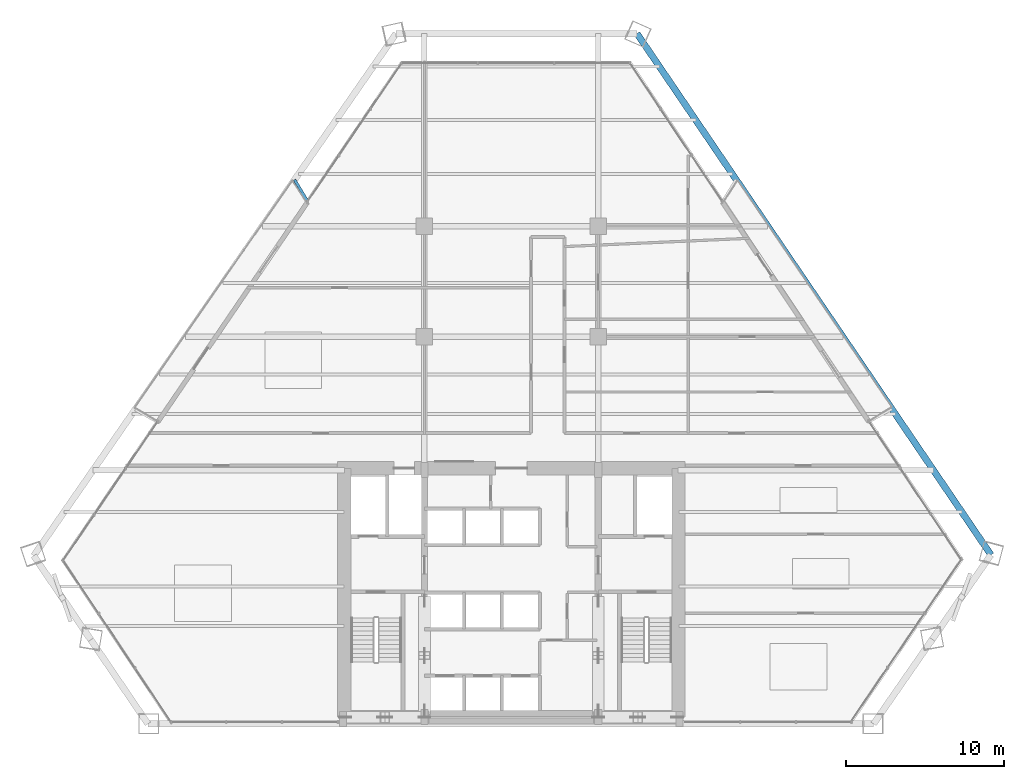
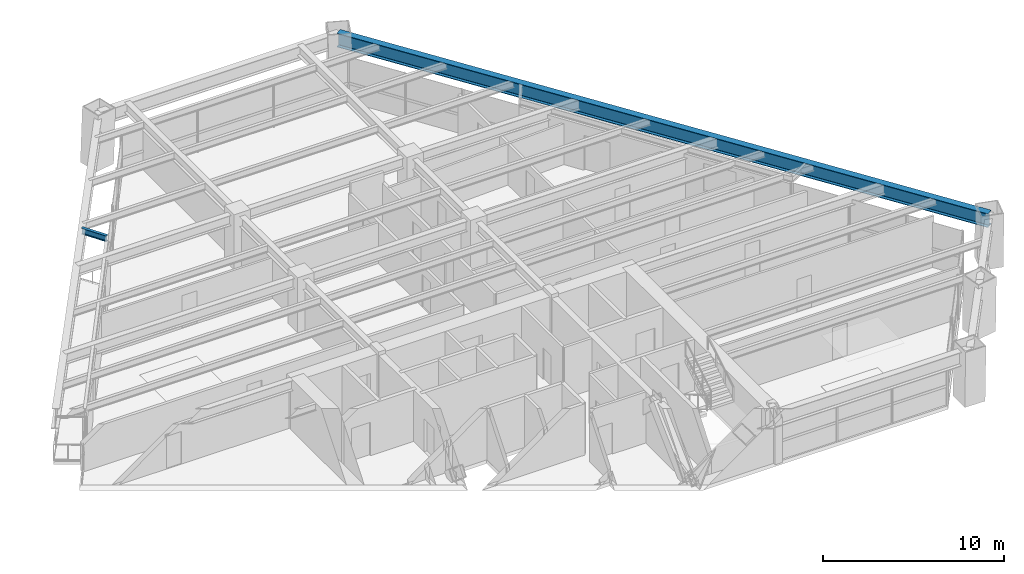
# One storey, part 7 of 14: 2 beams.
"""IFC4 building model written with IfcOpenShell, lengths in metres."""

import ifcopenshell
import ifcopenshell.guid

model = None  # the IFC model being written
_history = None  # IfcOwnerHistory: only IFC2X3 demands one
_inside = {}  # id of a spatial element -> (the spatial element, [elements in it])
_under = {}  # id of a project, library or spatial element -> (it, [spatial elements below it])
_declared = {}  # id of a project -> (the project, [libraries it declares])
_typed = {}  # id of a type object -> (the type object, [elements of that type])
_made_of = {}  # id of a material, layer set ... -> (it, [elements and type objects made of it])


def new_model(schema):
    """Start an empty IFC model of exactly this schema.

    Asked for "IFC4X3", IfcOpenShell would pick the latest addendum, in which some entities
    have other attributes; the version numbers below select the first issue.
    IFC2X3 requires an IfcOwnerHistory on every rooted entity: one is made here for all.
    """
    global model, _history
    if schema == "IFC4X3":
        model = ifcopenshell.file(schema_version=(4, 3, 0, 0))
    else:
        model = ifcopenshell.file(schema=schema)
    _inside.clear()
    _under.clear()
    _declared.clear()
    _typed.clear()
    _made_of.clear()
    _history = None
    if model.schema == "IFC2X3":
        org = make("IfcOrganization", Name="unknown")
        user = make(
            "IfcPersonAndOrganization",
            ThePerson=make("IfcPerson", FamilyName="unknown"),
            TheOrganization=org,
        )
        app = make(
            "IfcApplication",
            ApplicationDeveloper=org,
            Version="unknown",
            ApplicationFullName="unknown",
            ApplicationIdentifier="unknown",
        )
        _history = make(
            "IfcOwnerHistory",
            OwningUser=user,
            OwningApplication=app,
            ChangeAction="ADDED",
            CreationDate=0,
        )
    return model


def make(cls, **values):
    """One entity of the class cls with the attributes given. An attribute that is None is left unset."""
    return model.create_entity(
        cls, **{name: value for name, value in values.items() if value is not None}
    )


def rooted(cls, **values):
    """An entity with a GlobalId (a new one), such as an element, a storey or a relation."""
    return make(cls, GlobalId=ifcopenshell.guid.new(), OwnerHistory=_history, **values)


def si_unit(unit_type, name, prefix=None):
    """IfcSIUnit, for example si_unit("LENGTHUNIT", "METRE", prefix="MILLI")."""
    return make("IfcSIUnit", UnitType=unit_type, Prefix=prefix, Name=name)


def assignment(units):
    """IfcUnitAssignment: the units of a project."""
    return None if units is None else make("IfcUnitAssignment", Units=units)


def point(xyz):
    """IfcCartesianPoint."""
    return None if xyz is None else make("IfcCartesianPoint", Coordinates=xyz)


def direction(xyz):
    """IfcDirection."""
    return None if xyz is None else make("IfcDirection", DirectionRatios=xyz)


def frame(location, z_axis=None, x_axis=None):
    """IfcAxis2Placement3D, a coordinate frame: its origin and axes. An axis left out is left unset."""
    return make(
        "IfcAxis2Placement3D",
        Location=point(location),
        Axis=direction(z_axis),
        RefDirection=direction(x_axis),
    )


def frame_2d(location, x_axis=None):
    """IfcAxis2Placement2D, a coordinate frame in the plane: its origin and x axis."""
    return make(
        "IfcAxis2Placement2D", Location=point(location), RefDirection=direction(x_axis)
    )


def origin():
    """The frame at (0, 0, 0) with its axes left unset."""
    return frame((0.0, 0.0, 0.0))


def origin_2d():
    """The frame at (0, 0) in the plane with its x axis left unset."""
    return frame_2d((0.0, 0.0))


def place(relative_to, where):
    """IfcLocalPlacement: puts the frame where relative to a parent placement (None: the world)."""
    return make(
        "IfcLocalPlacement", PlacementRelTo=relative_to, RelativePlacement=where
    )


def context(
    kind, dimensions, precision=None, world=None, true_north=None, identifier=None
):
    """IfcGeometricRepresentationContext, for example the 3D "Model" context."""
    return make(
        "IfcGeometricRepresentationContext",
        ContextIdentifier=identifier,
        ContextType=kind,
        CoordinateSpaceDimension=dimensions,
        Precision=precision,
        WorldCoordinateSystem=world,
        TrueNorth=true_north,
    )


def subcontext(parent, identifier, kind, view, scale=None):
    """IfcGeometricRepresentationSubContext, for example "Body" below "Model"."""
    return make(
        "IfcGeometricRepresentationSubContext",
        ContextIdentifier=identifier,
        ContextType=kind,
        ParentContext=parent,
        TargetScale=scale,
        TargetView=view,
    )


def project(units=None, contexts=None):
    """IfcProject with its units and contexts."""
    return rooted(
        "IfcProject",
        Name="project",
        RepresentationContexts=contexts,
        UnitsInContext=assignment(units),
    )


def spatial(cls, under=None, at=None, **own):
    """A site, building, storey or space (cls), placed at a placement, below another one or the project."""
    s = rooted(cls, ObjectPlacement=at, **own)
    if under is not None:
        _under.setdefault(under.id(), (under, []))[1].append(s)
    return s


def profile(cls, at=None, kind="AREA", **sizes):
    """A parametric profile (cls). Its sizes go by their IFC names, for example OverallWidth=200.0."""
    return make(cls, ProfileType=kind, Position=at, **sizes)


def i_section(**sizes):
    """IfcIShapeProfileDef."""
    return profile("IfcIShapeProfileDef", **sizes)


def extrude(swept, where, along, depth):
    """IfcExtrudedAreaSolid: the profile swept, set in the frame where, extruded along a direction by depth."""
    return make(
        "IfcExtrudedAreaSolid",
        SweptArea=swept,
        Position=where,
        ExtrudedDirection=direction(along),
        Depth=depth,
    )


def shape(context_of_items, identifier, shape_type, items):
    """IfcShapeRepresentation: the items that make up one representation, for example the "Body"."""
    return make(
        "IfcShapeRepresentation",
        ContextOfItems=context_of_items,
        RepresentationIdentifier=identifier,
        RepresentationType=shape_type,
        Items=items,
    )


def source(mapping_origin, context_of_items, identifier, shape_type, items):
    """IfcRepresentationMap: a shape defined once, which mapped items show again and again."""
    return make(
        "IfcRepresentationMap",
        MappingOrigin=mapping_origin,
        MappedRepresentation=shape(context_of_items, identifier, shape_type, items),
    )


def transform(
    local_origin,
    x_axis=None,
    y_axis=None,
    z_axis=None,
    scale=None,
    scale2=None,
    scale3=None,
    uniform=True,
):
    """IfcCartesianTransformationOperator3D, or its non-uniform kind. x_axis, y_axis, z_axis: its Axis1, 2, 3."""
    if uniform:
        return make(
            "IfcCartesianTransformationOperator3D",
            Axis1=direction(x_axis),
            Axis2=direction(y_axis),
            LocalOrigin=point(local_origin),
            Scale=scale,
            Axis3=direction(z_axis),
        )
    return make(
        "IfcCartesianTransformationOperator3DnonUniform",
        Axis1=direction(x_axis),
        Axis2=direction(y_axis),
        LocalOrigin=point(local_origin),
        Scale=scale,
        Axis3=direction(z_axis),
        Scale2=scale2,
        Scale3=scale3,
    )


def mapped(mapping_source, mapping_target):
    """IfcMappedItem: shows the shape of a source again, moved by a transform."""
    return make(
        "IfcMappedItem", MappingSource=mapping_source, MappingTarget=mapping_target
    )


def material(Name=None, Category=None):
    """IfcMaterial."""
    return make("IfcMaterial", Name=Name, Category=Category)


def material_profile(
    of_material, cross_section, Name=None, Category=None, Priority=None
):
    """IfcMaterialProfile: a cross section and its material."""
    return make(
        "IfcMaterialProfile",
        Name=Name,
        Material=of_material,
        Profile=cross_section,
        Priority=Priority,
        Category=Category,
    )


def profile_set(profiles, Name=None, composite=None):
    """IfcMaterialProfileSet."""
    return make(
        "IfcMaterialProfileSet",
        Name=Name,
        MaterialProfiles=profiles,
        CompositeProfile=composite,
    )


def made_of(thing, what):
    """Note that an element or type object is made of a material, layer set ...; save() writes the relation."""
    if what is not None:
        _made_of.setdefault(what.id(), (what, []))[1].append(thing)
    return thing


def type_object(cls, material=None, **own):
    """A type object (cls), such as IfcWallType, which elements share."""
    return made_of(rooted(cls, **own), material)


def element(
    cls,
    number,
    at=None,
    inside=None,
    cuts=None,
    type_object=None,
    material=None,
    context=None,
    identifier="Body",
    shape_type=None,
    held_by="IfcProductDefinitionShape",
    body=None,
    shapes=None,
    **own,
):
    """One element of the class cls, such as IfcWall. Its Tag is "e" and its number.

    at: its placement. inside: the storey or other place that contains it. cuts: it is an
    opening in that element (IfcRelVoidsElement). A single representation is given by context,
    identifier, shape_type and body (its items); several are given by shapes. held_by: the class
    of the entity that holds the representations. save() writes the other relations.
    """
    e = rooted(cls, Tag="e%d" % number, ObjectPlacement=at, **own)
    if body is not None:
        shapes = [shape(context, identifier, shape_type, body)]
    if shapes is not None:
        e.Representation = make(held_by, Representations=shapes)
    if inside is not None:
        _inside.setdefault(inside.id(), (inside, []))[1].append(e)
    if cuts is not None:
        rooted(
            "IfcRelVoidsElement", RelatingBuildingElement=cuts, RelatedOpeningElement=e
        )
    if type_object is not None:
        _typed.setdefault(type_object.id(), (type_object, []))[1].append(e)
    return made_of(e, material)


def aggregate(whole, parts):
    """IfcRelAggregates: a whole, such as a stair, and the parts it consists of."""
    return rooted("IfcRelAggregates", RelatingObject=whole, RelatedObjects=parts)


def save(model, path):
    """Write the relations noted so far, then the file.

    IfcRelAggregates (storeys below a building ...), IfcRelContainedInSpatialStructure (elements
    in a storey), IfcRelDefinesByType, IfcRelAssociatesMaterial and IfcRelDeclares: one each for
    every whole, place, type object, material and project.
    """
    for whole, parts in _under.values():
        aggregate(whole, parts)
    for where, things in _inside.values():
        rooted(
            "IfcRelContainedInSpatialStructure",
            RelatedElements=things,
            RelatingStructure=where,
        )
    for kind, things in _typed.values():
        rooted("IfcRelDefinesByType", RelatedObjects=things, RelatingType=kind)
    for what, things in _made_of.values():
        rooted("IfcRelAssociatesMaterial", RelatedObjects=things, RelatingMaterial=what)
    for by, libraries in _declared.values():
        rooted("IfcRelDeclares", RelatingContext=by, RelatedDefinitions=libraries)
    model.write(path)


model = new_model("IFC4")

# Units and contexts
model_context = context("Model", 3, precision=1e-05, world=origin(), true_north=direction((0.0, 1.0)))
body_context = subcontext(model_context, "Body", "Model", "MODEL_VIEW")
ifc_project = project(units=[si_unit("LENGTHUNIT", "METRE"), si_unit("AREAUNIT", "SQUARE_METRE"), si_unit("VOLUMEUNIT", "CUBIC_METRE"), si_unit("PLANEANGLEUNIT", "RADIAN"), si_unit("MASSUNIT", "GRAM", prefix="KILO")], contexts=[model_context])

# Site, building, storey
site_placement = place(None, origin())
site = spatial("IfcSite", under=ifc_project, at=site_placement, CompositionType="ELEMENT")
building_placement = place(site_placement, origin())
building = spatial("IfcBuilding", under=site, at=building_placement, Name="Varnakhor Terracotta Tower", CompositionType="ELEMENT")
storey_placement = place(building_placement, frame((0.0, 0.0, 53.39990234375)))
storey = spatial("IfcBuildingStorey", under=building, at=storey_placement, Name="L12", CompositionType="ELEMENT", Elevation=53.39990234375)

# Beams
ifc_material = material(Name="Steel S355", Category="steel")
ifc_material_profile_1 = material_profile(ifc_material, i_section(OverallWidth=0.41796875, OverallDepth=0.927001953125, WebThickness=0.01904296875, FlangeThickness=0.031982421875, FilletRadius=0.01806640625, at=origin_2d()), Name="W36X231")
ifc_profile_set_1 = profile_set([ifc_material_profile_1], Name="Steel S355")
beam_type_1 = type_object("IfcBeamType", Name="BM-W36X231", PredefinedType="BEAM", material=ifc_profile_set_1)
shared_shape_1 = source(origin(), body_context, "Body", "SweptSolid", [
    extrude(i_section(OverallWidth=0.41796875, OverallDepth=0.927001953125, WebThickness=0.01904296875, FlangeThickness=0.031982421875, FilletRadius=0.01806640625, at=origin_2d()), origin(), (0.0, 0.0, 1.0), 39.868408203125),
])
beam_1_placement = place(storey_placement, frame((30.343505859375, 10.696044921875, 2.986572265625), z_axis=(-0.561723475777, 0.827325049035, 0.0), x_axis=(-0.827325049035, -0.561723475777, 0.0)))
element("IfcBeam", 1, at=beam_1_placement, inside=storey, type_object=beam_type_1, Name="L12 Perimeter Spandrel 4", PredefinedType="BEAM", context=body_context, shape_type="MappedRepresentation", body=[
    mapped(shared_shape_1, transform((0.0, 0.0, 0.0), scale=1.0)),
])
ifc_material_profile_2 = material_profile(ifc_material, i_section(OverallWidth=0.179931640625, OverallDepth=0.39990234375, WebThickness=0.008544921875, FlangeThickness=0.013427734375, FilletRadius=0.01806640625, at=origin_2d()), Name="IPE400")
ifc_profile_set_2 = profile_set([ifc_material_profile_2], Name="Steel S355")
beam_type_2 = type_object("IfcBeamType", Name="JST-IPE400", PredefinedType="JOIST", material=ifc_profile_set_2)
shared_shape_2 = source(origin(), body_context, "Body", "SweptSolid", [
    extrude(i_section(OverallWidth=0.179931640625, OverallDepth=0.39990234375, WebThickness=0.008544921875, FlangeThickness=0.013427734375, FilletRadius=0.01806640625, at=origin_2d()), origin(), (0.0, 0.0, 1.0), 1.5791015625),
])
beam_2_placement = place(storey_placement, frame((-12.89794921875, 33.077880859375, 3.25), z_axis=(-0.517629958466, 0.855604596819, 0.0), x_axis=(-0.855604596819, -0.517629958466, 0.0)))
element("IfcBeam", 2, at=beam_2_placement, inside=storey, type_object=beam_type_2, Name="L13 W Loggia Tie Beam 2", PredefinedType="JOIST", context=body_context, shape_type="MappedRepresentation", body=[
    mapped(shared_shape_2, transform((0.0, 0.0, 0.0), scale=1.0)),
])

save(model, "model.ifc")
